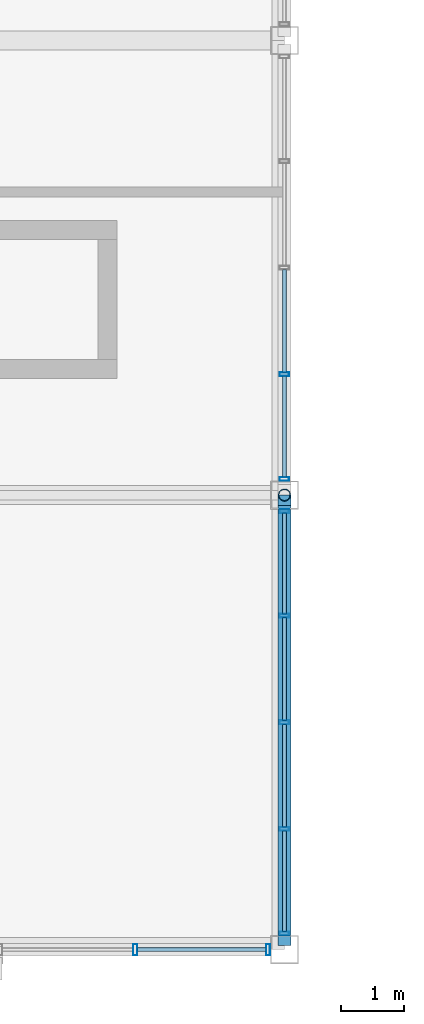
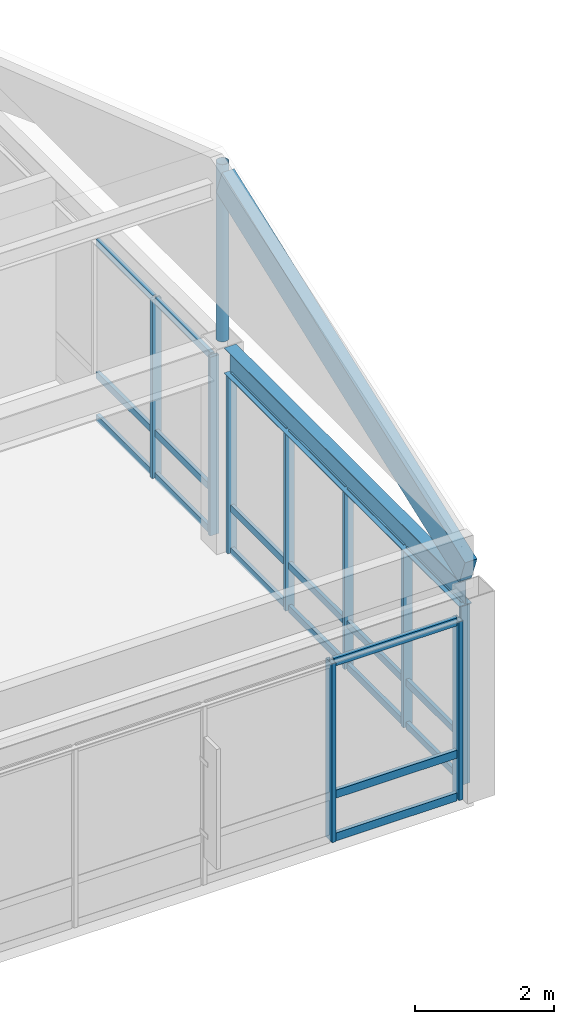
# One storey, part 21 of 113: 32 members, 1 beam, 3 elements without a shape of their own.
"""IFC4 building model written with IfcOpenShell, lengths in metres."""

from ifc_helpers import new_model, si_unit, direction, frame, origin, origin_2d, place, context, subcontext, project, spatial, rectangle, hollow_rectangle, hollow_circle, i_section, extrude, material, material_profile, profile_set, type_object, element, aggregate, save


model = new_model("IFC4")

# Units and contexts
model_context = context("Model", 3, precision=1e-05, world=origin(), true_north=direction((0.0, 1.0)))
body_context = subcontext(model_context, "Body", "Model", "MODEL_VIEW")
ifc_project = project(units=[si_unit("LENGTHUNIT", "METRE"), si_unit("AREAUNIT", "SQUARE_METRE"), si_unit("VOLUMEUNIT", "CUBIC_METRE"), si_unit("PLANEANGLEUNIT", "RADIAN"), si_unit("MASSUNIT", "GRAM", prefix="KILO")], contexts=[model_context])

# Site, building, storey
site_placement = place(None, origin())
site = spatial("IfcSite", under=ifc_project, at=site_placement, CompositionType="ELEMENT")
building_placement = place(site_placement, origin())
building = spatial("IfcBuilding", under=site, at=building_placement, Name="Kazanami Central Library", CompositionType="ELEMENT")
storey_placement = place(building_placement, frame((0.0, 0.0, 8.800048828125)))
storey = spatial("IfcBuildingStorey", under=building, at=storey_placement, Name="L03", CompositionType="ELEMENT", Elevation=8.800048828125)

# Beam
ifc_material_1 = material(Name="Steel SN490B (325 MPa)", Category="steel")
ifc_material_profile_1 = material_profile(ifc_material_1, i_section(OverallWidth=0.199951171875, OverallDepth=0.449951171875, WebThickness=0.009033203125, FlangeThickness=0.013916015625, at=origin_2d()), Name="H-450x200x9x14")
ifc_profile_set_1 = profile_set([ifc_material_profile_1], Name="Steel SN490B (325 MPa)")
beam_type = type_object("IfcBeamType", Name="BM-SP-2", PredefinedType="SPANDREL", material=ifc_profile_set_1)
beam_placement = place(storey_placement, frame((36.0, 0.222900390625, 3.35498046875), z_axis=(0.0, 1.0, 0.0), x_axis=(-1.0, 0.0, 0.0)))
element("IfcBeam", 1, at=beam_placement, inside=storey, type_object=beam_type, Name="Girder SP-2 L03 5/A-B", PredefinedType="SPANDREL", context=body_context, shape_type="SweptSolid", body=[
    extrude(i_section(OverallWidth=0.199951171875, OverallDepth=0.449951171875, WebThickness=0.009033203125, FlangeThickness=0.013916015625, at=origin_2d()), origin(), (0.0, 0.0, 1.0), 6.754150390625),
])

# Curtain wall, members
ifc_material_2 = material(Name="Acid-Etched Low-E Laminated Glass", Category="glass")
curtain_wall_type_1 = type_object("IfcCurtainWallType", Name="CW-8550x3130-M225", PredefinedType="USERDEFINED", material=ifc_material_2)
curtain_wall_1_placement = place(storey_placement, origin())
curtain_wall_1 = element("IfcCurtainWall", 2, at=curtain_wall_1_placement, inside=storey, type_object=curtain_wall_type_1, Name="Unitised Curtain Wall CW-24 L03 S-A-03", ObjectType="UNITISED CURTAIN WALL", PredefinedType="USERDEFINED")
ifc_material_3 = material(Name="Anodised Aluminium A6063-T5", Category="aluminium")
ifc_material_profile_2 = material_profile(ifc_material_3, hollow_rectangle(XDim=0.06494140625, YDim=0.179931640625, WallThickness=0.00390625, at=origin_2d()), Name="ALU-MULL-65x180x4")
ifc_profile_set_2 = profile_set([ifc_material_profile_2], Name="Anodised Aluminium A6063-T5")
member_type_1 = type_object("IfcMemberType", Name="MEM-CW-M2", PredefinedType="MULLION", material=ifc_profile_set_2)
member_1_placement = place(storey_placement, frame((33.637451171875, 0.0, 0.0), z_axis=(0.0, 0.0, 1.0), x_axis=(1.0, 0.0, 0.0)))
member_1 = element("IfcMember", 3, at=member_1_placement, type_object=member_type_1, Name="CW-24 mullion 4", PredefinedType="MULLION", context=body_context, shape_type="SweptSolid", body=[
    extrude(hollow_rectangle(XDim=0.06494140625, YDim=0.179931640625, WallThickness=0.00390625, at=origin_2d()), origin(), (0.0, 0.0, 1.0), 3.1298828125),
])
member_2_placement = place(storey_placement, frame((35.742431640625, 0.0, 0.0), z_axis=(0.0, 0.0, 1.0), x_axis=(1.0, 0.0, 0.0)))
member_2 = element("IfcMember", 4, at=member_2_placement, type_object=member_type_1, Name="CW-24 mullion 5", PredefinedType="MULLION", context=body_context, shape_type="SweptSolid", body=[
    extrude(hollow_rectangle(XDim=0.06494140625, YDim=0.179931640625, WallThickness=0.00390625, at=origin_2d()), origin(), (0.0, 0.0, 1.0), 3.1298828125),
])

curtain_wall_type_2 = type_object("IfcCurtainWallType", Name="CW-6750x3130-M180", PredefinedType="USERDEFINED", material=ifc_material_2)
curtain_wall_2_placement = place(storey_placement, origin())
curtain_wall_2 = element("IfcCurtainWall", 5, at=curtain_wall_2_placement, inside=storey, type_object=curtain_wall_type_2, Name="Covered Link Bridge Curtain Wall CW-33 L03 E-5-00", ObjectType="UNITISED CURTAIN WALL", PredefinedType="USERDEFINED")
ifc_material_profile_3 = material_profile(ifc_material_3, hollow_rectangle(XDim=0.06005859375, YDim=0.14990234375, WallThickness=0.00390625, at=origin_2d()), Name="ALU-MULL-60x150x4")
ifc_profile_set_3 = profile_set([ifc_material_profile_3], Name="Anodised Aluminium A6063-T5")
member_type_2 = type_object("IfcMemberType", Name="MEM-CW-M3", PredefinedType="MULLION", material=ifc_profile_set_3)
member_3_placement = place(storey_placement, frame((36.0, 6.945068359375, 0.0), z_axis=(0.0, 0.0, 1.0), x_axis=(0.0, -1.0, 0.0)))
member_3 = element("IfcMember", 6, at=member_3_placement, type_object=member_type_2, Name="CW-33 mullion 1", PredefinedType="MULLION", context=body_context, shape_type="SweptSolid", body=[
    extrude(hollow_rectangle(XDim=0.06005859375, YDim=0.14990234375, WallThickness=0.00390625, at=origin_2d()), origin(), (0.0, 0.0, 1.0), 3.1298828125),
])
member_4_placement = place(storey_placement, frame((36.0, 5.28759765625, 0.0), z_axis=(0.0, 0.0, 1.0), x_axis=(0.0, -1.0, 0.0)))
member_4 = element("IfcMember", 7, at=member_4_placement, type_object=member_type_2, Name="CW-33 mullion 2", PredefinedType="MULLION", context=body_context, shape_type="SweptSolid", body=[
    extrude(hollow_rectangle(XDim=0.06005859375, YDim=0.14990234375, WallThickness=0.00390625, at=origin_2d()), origin(), (0.0, 0.0, 1.0), 3.1298828125),
])
member_5_placement = place(storey_placement, frame((36.0, 3.60009765625, 0.0), z_axis=(0.0, 0.0, 1.0), x_axis=(0.0, -1.0, 0.0)))
member_5 = element("IfcMember", 8, at=member_5_placement, type_object=member_type_2, Name="CW-33 mullion 3", PredefinedType="MULLION", context=body_context, shape_type="SweptSolid", body=[
    extrude(hollow_rectangle(XDim=0.06005859375, YDim=0.14990234375, WallThickness=0.00390625, at=origin_2d()), origin(), (0.0, 0.0, 1.0), 3.1298828125),
])
member_6_placement = place(storey_placement, frame((36.0, 1.91259765625, 0.0), z_axis=(0.0, 0.0, 1.0), x_axis=(0.0, -1.0, 0.0)))
member_6 = element("IfcMember", 9, at=member_6_placement, type_object=member_type_2, Name="CW-33 mullion 4", PredefinedType="MULLION", context=body_context, shape_type="SweptSolid", body=[
    extrude(hollow_rectangle(XDim=0.06005859375, YDim=0.14990234375, WallThickness=0.00390625, at=origin_2d()), origin(), (0.0, 0.0, 1.0), 3.1298828125),
])
member_7_placement = place(storey_placement, frame((36.0, 0.2548828125, 0.0), z_axis=(0.0, 0.0, 1.0), x_axis=(0.0, -1.0, 0.0)))
member_7 = element("IfcMember", 10, at=member_7_placement, type_object=member_type_2, Name="CW-33 mullion 5", PredefinedType="MULLION", context=body_context, shape_type="SweptSolid", body=[
    extrude(hollow_rectangle(XDim=0.06005859375, YDim=0.14990234375, WallThickness=0.00390625, at=origin_2d()), origin(), (0.0, 0.0, 1.0), 3.1298828125),
])

curtain_wall_3_placement = place(storey_placement, origin())
curtain_wall_3 = element("IfcCurtainWall", 11, at=curtain_wall_3_placement, inside=storey, type_object=curtain_wall_type_2, Name="Covered Link Bridge Curtain Wall CW-33 L03 E-5-01", ObjectType="UNITISED CURTAIN WALL", PredefinedType="USERDEFINED")
member_8_placement = place(storey_placement, frame((36.0, 9.112548828125, 0.0), z_axis=(0.0, 0.0, 1.0), x_axis=(0.0, -1.0, 0.0)))
member_8 = element("IfcMember", 12, at=member_8_placement, type_object=member_type_2, Name="CW-33 mullion 4", PredefinedType="MULLION", context=body_context, shape_type="SweptSolid", body=[
    extrude(hollow_rectangle(XDim=0.06005859375, YDim=0.14990234375, WallThickness=0.00390625, at=origin_2d()), origin(), (0.0, 0.0, 1.0), 3.1298828125),
])
member_9_placement = place(storey_placement, frame((36.0, 7.455078125, 0.0), z_axis=(0.0, 0.0, 1.0), x_axis=(0.0, -1.0, 0.0)))
member_9 = element("IfcMember", 13, at=member_9_placement, type_object=member_type_2, Name="CW-33 mullion 5", PredefinedType="MULLION", context=body_context, shape_type="SweptSolid", body=[
    extrude(hollow_rectangle(XDim=0.06005859375, YDim=0.14990234375, WallThickness=0.00390625, at=origin_2d()), origin(), (0.0, 0.0, 1.0), 3.1298828125),
])

# Member
ifc_material_profile_4 = material_profile(ifc_material_3, hollow_rectangle(XDim=0.06494140625, YDim=0.139892578125, WallThickness=0.00390625, at=origin_2d()), Name="ALU-TRAN-65x140x4")
ifc_profile_set_4 = profile_set([ifc_material_profile_4], Name="Anodised Aluminium A6063-T5")
member_type_3 = type_object("IfcMemberType", Name="MEM-CW-T2", PredefinedType="USERDEFINED", material=ifc_profile_set_4)
member_10_placement = place(storey_placement, frame((33.669921875, 0.0, 0.032470703125), z_axis=(1.0, 0.0, 0.0), x_axis=(0.0, 1.0, 0.0)))
member_10 = element("IfcMember", 14, at=member_10_placement, type_object=member_type_3, Name="CW-24 transom 4.1", ObjectType="TRANSOM", PredefinedType="USERDEFINED", context=body_context, shape_type="SweptSolid", body=[
    extrude(hollow_rectangle(XDim=0.06494140625, YDim=0.139892578125, WallThickness=0.00390625, at=origin_2d()), origin(), (0.0, 0.0, 1.0), 2.0400390625),
])

member_11_placement = place(storey_placement, frame((33.669921875, 0.0, 0.780029296875), z_axis=(1.0, 0.0, 0.0), x_axis=(0.0, 1.0, 0.0)))
member_11 = element("IfcMember", 15, at=member_11_placement, type_object=member_type_3, Name="CW-24 transom 4.2", ObjectType="TRANSOM", PredefinedType="USERDEFINED", context=body_context, shape_type="SweptSolid", body=[
    extrude(hollow_rectangle(XDim=0.06494140625, YDim=0.139892578125, WallThickness=0.00390625, at=origin_2d()), origin(), (0.0, 0.0, 1.0), 2.0400390625),
])

member_12_placement = place(storey_placement, frame((33.669921875, 0.0, 3.097412109375), z_axis=(1.0, 0.0, 0.0), x_axis=(0.0, 1.0, 0.0)))
member_12 = element("IfcMember", 16, at=member_12_placement, type_object=member_type_3, Name="CW-24 transom 4.3", ObjectType="TRANSOM", PredefinedType="USERDEFINED", context=body_context, shape_type="SweptSolid", body=[
    extrude(hollow_rectangle(XDim=0.06494140625, YDim=0.139892578125, WallThickness=0.00390625, at=origin_2d()), origin(), (0.0, 0.0, 1.0), 2.0400390625),
])

aggregate(curtain_wall_1, [member_1, member_2, member_10, member_11, member_12])

ifc_material_profile_5 = material_profile(ifc_material_3, hollow_rectangle(XDim=0.06005859375, YDim=0.1201171875, WallThickness=0.00341796875, at=origin_2d()), Name="ALU-TRAN-60x120x3.5")
ifc_profile_set_5 = profile_set([ifc_material_profile_5], Name="Anodised Aluminium A6063-T5")
member_type_4 = type_object("IfcMemberType", Name="MEM-CW-T3", PredefinedType="USERDEFINED", material=ifc_profile_set_5)
member_13_placement = place(storey_placement, frame((36.0, 6.9150390625, 0.030029296875), z_axis=(0.0, -1.0, 0.0), x_axis=(1.0, 0.0, 0.0)))
member_13 = element("IfcMember", 17, at=member_13_placement, type_object=member_type_4, Name="CW-33 transom 1.1", ObjectType="TRANSOM", PredefinedType="USERDEFINED", context=body_context, shape_type="SweptSolid", body=[
    extrude(hollow_rectangle(XDim=0.06005859375, YDim=0.1201171875, WallThickness=0.00341796875, at=origin_2d()), origin(), (0.0, 0.0, 1.0), 1.59765625),
])

member_14_placement = place(storey_placement, frame((36.0, 6.9150390625, 0.780029296875), z_axis=(0.0, -1.0, 0.0), x_axis=(1.0, 0.0, 0.0)))
member_14 = element("IfcMember", 18, at=member_14_placement, type_object=member_type_4, Name="CW-33 transom 1.2", ObjectType="TRANSOM", PredefinedType="USERDEFINED", context=body_context, shape_type="SweptSolid", body=[
    extrude(hollow_rectangle(XDim=0.06005859375, YDim=0.1201171875, WallThickness=0.00341796875, at=origin_2d()), origin(), (0.0, 0.0, 1.0), 1.59765625),
])

member_15_placement = place(storey_placement, frame((36.0, 6.9150390625, 3.099853515625), z_axis=(0.0, -1.0, 0.0), x_axis=(1.0, 0.0, 0.0)))
member_15 = element("IfcMember", 19, at=member_15_placement, type_object=member_type_4, Name="CW-33 transom 1.3", ObjectType="TRANSOM", PredefinedType="USERDEFINED", context=body_context, shape_type="SweptSolid", body=[
    extrude(hollow_rectangle(XDim=0.06005859375, YDim=0.1201171875, WallThickness=0.00341796875, at=origin_2d()), origin(), (0.0, 0.0, 1.0), 1.59765625),
])

member_16_placement = place(storey_placement, frame((36.0, 5.257568359375, 0.030029296875), z_axis=(0.0, -1.0, 0.0), x_axis=(1.0, 0.0, 0.0)))
member_16 = element("IfcMember", 20, at=member_16_placement, type_object=member_type_4, Name="CW-33 transom 2.1", ObjectType="TRANSOM", PredefinedType="USERDEFINED", context=body_context, shape_type="SweptSolid", body=[
    extrude(hollow_rectangle(XDim=0.06005859375, YDim=0.1201171875, WallThickness=0.00341796875, at=origin_2d()), origin(), (0.0, 0.0, 1.0), 1.627685546875),
])

member_17_placement = place(storey_placement, frame((36.0, 5.257568359375, 0.780029296875), z_axis=(0.0, -1.0, 0.0), x_axis=(1.0, 0.0, 0.0)))
member_17 = element("IfcMember", 21, at=member_17_placement, type_object=member_type_4, Name="CW-33 transom 2.2", ObjectType="TRANSOM", PredefinedType="USERDEFINED", context=body_context, shape_type="SweptSolid", body=[
    extrude(hollow_rectangle(XDim=0.06005859375, YDim=0.1201171875, WallThickness=0.00341796875, at=origin_2d()), origin(), (0.0, 0.0, 1.0), 1.627685546875),
])

member_18_placement = place(storey_placement, frame((36.0, 5.257568359375, 3.099853515625), z_axis=(0.0, -1.0, 0.0), x_axis=(1.0, 0.0, 0.0)))
member_18 = element("IfcMember", 22, at=member_18_placement, type_object=member_type_4, Name="CW-33 transom 2.3", ObjectType="TRANSOM", PredefinedType="USERDEFINED", context=body_context, shape_type="SweptSolid", body=[
    extrude(hollow_rectangle(XDim=0.06005859375, YDim=0.1201171875, WallThickness=0.00341796875, at=origin_2d()), origin(), (0.0, 0.0, 1.0), 1.627685546875),
])

member_19_placement = place(storey_placement, frame((36.0, 3.570068359375, 0.030029296875), z_axis=(0.0, -1.0, 0.0), x_axis=(1.0, 0.0, 0.0)))
member_19 = element("IfcMember", 23, at=member_19_placement, type_object=member_type_4, Name="CW-33 transom 3.1", ObjectType="TRANSOM", PredefinedType="USERDEFINED", context=body_context, shape_type="SweptSolid", body=[
    extrude(hollow_rectangle(XDim=0.06005859375, YDim=0.1201171875, WallThickness=0.00341796875, at=origin_2d()), origin(), (0.0, 0.0, 1.0), 1.627685546875),
])

member_20_placement = place(storey_placement, frame((36.0, 3.570068359375, 0.780029296875), z_axis=(0.0, -1.0, 0.0), x_axis=(1.0, 0.0, 0.0)))
member_20 = element("IfcMember", 24, at=member_20_placement, type_object=member_type_4, Name="CW-33 transom 3.2", ObjectType="TRANSOM", PredefinedType="USERDEFINED", context=body_context, shape_type="SweptSolid", body=[
    extrude(hollow_rectangle(XDim=0.06005859375, YDim=0.1201171875, WallThickness=0.00341796875, at=origin_2d()), origin(), (0.0, 0.0, 1.0), 1.627685546875),
])

member_21_placement = place(storey_placement, frame((36.0, 3.570068359375, 3.099853515625), z_axis=(0.0, -1.0, 0.0), x_axis=(1.0, 0.0, 0.0)))
member_21 = element("IfcMember", 25, at=member_21_placement, type_object=member_type_4, Name="CW-33 transom 3.3", ObjectType="TRANSOM", PredefinedType="USERDEFINED", context=body_context, shape_type="SweptSolid", body=[
    extrude(hollow_rectangle(XDim=0.06005859375, YDim=0.1201171875, WallThickness=0.00341796875, at=origin_2d()), origin(), (0.0, 0.0, 1.0), 1.627685546875),
])

member_22_placement = place(storey_placement, frame((36.0, 1.882568359375, 0.030029296875), z_axis=(0.0, -1.0, 0.0), x_axis=(1.0, 0.0, 0.0)))
member_22 = element("IfcMember", 26, at=member_22_placement, type_object=member_type_4, Name="CW-33 transom 4.1", ObjectType="TRANSOM", PredefinedType="USERDEFINED", context=body_context, shape_type="SweptSolid", body=[
    extrude(hollow_rectangle(XDim=0.06005859375, YDim=0.1201171875, WallThickness=0.00341796875, at=origin_2d()), origin(), (0.0, 0.0, 1.0), 1.59765625),
])

member_23_placement = place(storey_placement, frame((36.0, 1.882568359375, 0.780029296875), z_axis=(0.0, -1.0, 0.0), x_axis=(1.0, 0.0, 0.0)))
member_23 = element("IfcMember", 27, at=member_23_placement, type_object=member_type_4, Name="CW-33 transom 4.2", ObjectType="TRANSOM", PredefinedType="USERDEFINED", context=body_context, shape_type="SweptSolid", body=[
    extrude(hollow_rectangle(XDim=0.06005859375, YDim=0.1201171875, WallThickness=0.00341796875, at=origin_2d()), origin(), (0.0, 0.0, 1.0), 1.59765625),
])

member_24_placement = place(storey_placement, frame((36.0, 1.882568359375, 3.099853515625), z_axis=(0.0, -1.0, 0.0), x_axis=(1.0, 0.0, 0.0)))
member_24 = element("IfcMember", 28, at=member_24_placement, type_object=member_type_4, Name="CW-33 transom 4.3", ObjectType="TRANSOM", PredefinedType="USERDEFINED", context=body_context, shape_type="SweptSolid", body=[
    extrude(hollow_rectangle(XDim=0.06005859375, YDim=0.1201171875, WallThickness=0.00341796875, at=origin_2d()), origin(), (0.0, 0.0, 1.0), 1.59765625),
])

aggregate(curtain_wall_2, [member_3, member_4, member_5, member_6, member_7, member_13, member_14, member_15, member_16, member_17, member_18, member_19, member_20, member_21, member_22, member_23, member_24])

member_25_placement = place(storey_placement, frame((36.0, 10.77001953125, 0.030029296875), z_axis=(0.0, -1.0, 0.0), x_axis=(1.0, 0.0, 0.0)))
member_25 = element("IfcMember", 29, at=member_25_placement, type_object=member_type_4, Name="CW-33 transom 3.1", ObjectType="TRANSOM", PredefinedType="USERDEFINED", context=body_context, shape_type="SweptSolid", body=[
    extrude(hollow_rectangle(XDim=0.06005859375, YDim=0.1201171875, WallThickness=0.00341796875, at=origin_2d()), origin(), (0.0, 0.0, 1.0), 1.62744140625),
])

member_26_placement = place(storey_placement, frame((36.0, 10.77001953125, 0.780029296875), z_axis=(0.0, -1.0, 0.0), x_axis=(1.0, 0.0, 0.0)))
member_26 = element("IfcMember", 30, at=member_26_placement, type_object=member_type_4, Name="CW-33 transom 3.2", ObjectType="TRANSOM", PredefinedType="USERDEFINED", context=body_context, shape_type="SweptSolid", body=[
    extrude(hollow_rectangle(XDim=0.06005859375, YDim=0.1201171875, WallThickness=0.00341796875, at=origin_2d()), origin(), (0.0, 0.0, 1.0), 1.62744140625),
])

member_27_placement = place(storey_placement, frame((36.0, 10.77001953125, 3.099853515625), z_axis=(0.0, -1.0, 0.0), x_axis=(1.0, 0.0, 0.0)))
member_27 = element("IfcMember", 31, at=member_27_placement, type_object=member_type_4, Name="CW-33 transom 3.3", ObjectType="TRANSOM", PredefinedType="USERDEFINED", context=body_context, shape_type="SweptSolid", body=[
    extrude(hollow_rectangle(XDim=0.06005859375, YDim=0.1201171875, WallThickness=0.00341796875, at=origin_2d()), origin(), (0.0, 0.0, 1.0), 1.62744140625),
])

member_28_placement = place(storey_placement, frame((36.0, 9.08251953125, 0.030029296875), z_axis=(0.0, -1.0, 0.0), x_axis=(1.0, 0.0, 0.0)))
member_28 = element("IfcMember", 32, at=member_28_placement, type_object=member_type_4, Name="CW-33 transom 4.1", ObjectType="TRANSOM", PredefinedType="USERDEFINED", context=body_context, shape_type="SweptSolid", body=[
    extrude(hollow_rectangle(XDim=0.06005859375, YDim=0.1201171875, WallThickness=0.00341796875, at=origin_2d()), origin(), (0.0, 0.0, 1.0), 1.597412109375),
])

member_29_placement = place(storey_placement, frame((36.0, 9.08251953125, 0.780029296875), z_axis=(0.0, -1.0, 0.0), x_axis=(1.0, 0.0, 0.0)))
member_29 = element("IfcMember", 33, at=member_29_placement, type_object=member_type_4, Name="CW-33 transom 4.2", ObjectType="TRANSOM", PredefinedType="USERDEFINED", context=body_context, shape_type="SweptSolid", body=[
    extrude(hollow_rectangle(XDim=0.06005859375, YDim=0.1201171875, WallThickness=0.00341796875, at=origin_2d()), origin(), (0.0, 0.0, 1.0), 1.597412109375),
])

member_30_placement = place(storey_placement, frame((36.0, 9.08251953125, 3.099853515625), z_axis=(0.0, -1.0, 0.0), x_axis=(1.0, 0.0, 0.0)))
member_30 = element("IfcMember", 34, at=member_30_placement, type_object=member_type_4, Name="CW-33 transom 4.3", ObjectType="TRANSOM", PredefinedType="USERDEFINED", context=body_context, shape_type="SweptSolid", body=[
    extrude(hollow_rectangle(XDim=0.06005859375, YDim=0.1201171875, WallThickness=0.00341796875, at=origin_2d()), origin(), (0.0, 0.0, 1.0), 1.597412109375),
])

aggregate(curtain_wall_3, [member_8, member_9, member_25, member_26, member_27, member_28, member_29, member_30])

# Members
ifc_material_4 = material(Name="Glulam GL28h (28 MPa)", Category="wood")
ifc_material_profile_6 = material_profile(ifc_material_4, rectangle(XDim=0.199951171875, YDim=0.47998046875, at=origin_2d()), Name="GL28h-200x480")
ifc_profile_set_6 = profile_set([ifc_material_profile_6], Name="Glulam GL28h (28 MPa)")
member_type_5 = type_object("IfcMemberType", Name="MEM-GL-02", PredefinedType="RAFTER", material=ifc_profile_set_6)
member_31_placement = place(storey_placement, frame((36.0, 0.14990234375, 3.780029296875), z_axis=(0.0, 0.93650430586, 0.350656078096), x_axis=(-1.0, 0.0, 0.0)))
element("IfcMember", 35, at=member_31_placement, inside=storey, type_object=member_type_5, Name="Glulam Timber Shell Rafter GL-02 FOLD-L03-V3-S Grid 5 South", PredefinedType="RAFTER", context=body_context, shape_type="SweptSolid", body=[
    extrude(rectangle(XDim=0.199951171875, YDim=0.47998046875, at=origin_2d()), origin(), (0.0, 0.0, 1.0), 7.44287109375),
])
ifc_material_5 = material(Name="Steel STK490 (315 MPa)", Category="steel")
ifc_material_profile_7 = material_profile(ifc_material_5, hollow_circle(Radius=0.095458984375, WallThickness=0.007080078125, at=origin_2d()), Name="CHS-190.7x7.0")
ifc_profile_set_7 = profile_set([ifc_material_profile_7], Name="Steel STK490 (315 MPa)")
member_type_6 = type_object("IfcMemberType", Name="MEM-VST-190", PredefinedType="STRUT", material=ifc_profile_set_7)
member_32_placement = place(storey_placement, frame((36.0, 7.199951171875, 3.579833984375), z_axis=(0.0, 0.0, 1.0), x_axis=(1.0, 0.0, 0.0)))
element("IfcMember", 36, at=member_32_placement, inside=storey, type_object=member_type_6, Name="Folded Shell Ridge Strut Post FOLD-L03-V3-S Grid 5", PredefinedType="POST", context=body_context, shape_type="SweptSolid", body=[
    extrude(hollow_circle(Radius=0.095458984375, WallThickness=0.007080078125, at=origin_2d()), origin(), (0.0, 0.0, 1.0), 3.1025390625),
])

save(model, "model.ifc")
